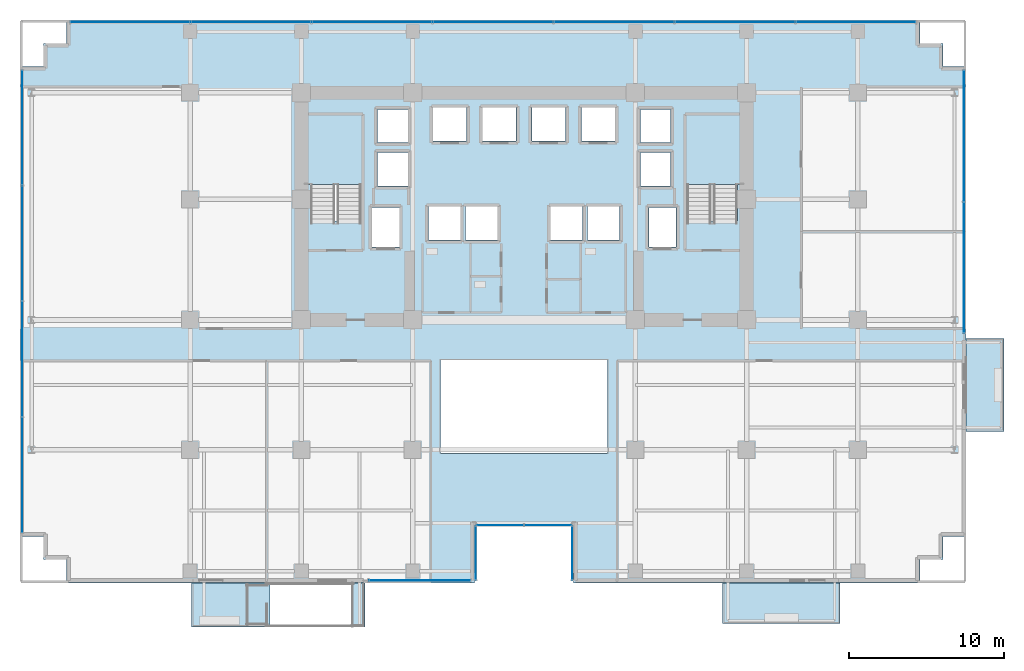
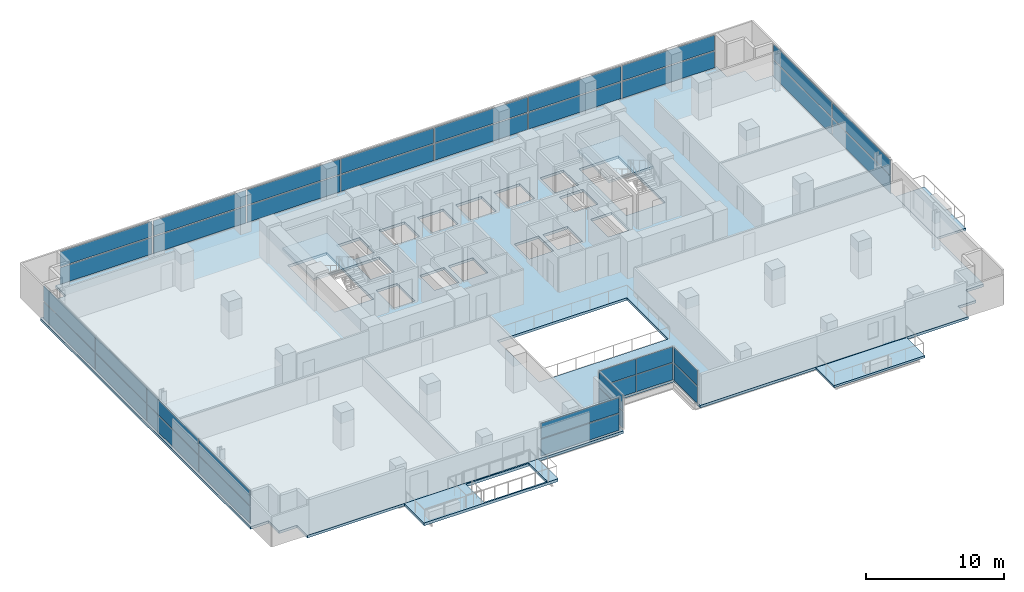
# One storey, part 21 of 30: 36 plates, 6 slabs, 9 elements without a shape of their own.
"""IFC4 building model written with IfcOpenShell, lengths in metres."""

from ifc_helpers import new_model, si_unit, direction, frame, origin, origin_2d, place, context, subcontext, project, spatial, polyline, rectangle, outline, extrude, source, transform, mapped, material, layer, layer_set, type_object, element, aggregate, save


model = new_model("IFC4")

# Units and contexts
model_context = context("Model", 3, precision=1e-05, world=origin(), true_north=direction((0.0, 1.0)))
body_context = subcontext(model_context, "Body", "Model", "MODEL_VIEW")
ifc_project = project(units=[si_unit("LENGTHUNIT", "METRE"), si_unit("AREAUNIT", "SQUARE_METRE"), si_unit("VOLUMEUNIT", "CUBIC_METRE"), si_unit("PLANEANGLEUNIT", "RADIAN"), si_unit("MASSUNIT", "GRAM", prefix="KILO")], contexts=[model_context])

# Site, building, storey
site_placement = place(None, origin())
site = spatial("IfcSite", under=ifc_project, at=site_placement, CompositionType="ELEMENT")
building_placement = place(site_placement, origin())
building = spatial("IfcBuilding", under=site, at=building_placement, Name="Zarnakvel Exchange Tower", CompositionType="ELEMENT")
storey_placement = place(building_placement, frame((0.0, 0.0, 30.699951171875)))
storey = spatial("IfcBuildingStorey", under=building, at=storey_placement, Name="L07", CompositionType="ELEMENT", Elevation=30.699951171875)

# Stair, slab
ifc_material_1 = material(Name="Concrete C40/50", Category="concrete")
stair_type = type_object("IfcStairType", Name="STR-01", PredefinedType="HALF_TURN_STAIR", material=ifc_material_1)
stair_1_placement = place(storey_placement, origin())
stair_1 = element("IfcStair", 1, at=stair_1_placement, inside=storey, type_object=stair_type, Name="L07 Protected Core Exit Stair ST-01", PredefinedType="HALF_TURN_STAIR")
ifc_layer_1 = layer(ifc_material_1, 0.199951171875)
ifc_layer_set_1 = layer_set([ifc_layer_1], Name="Concrete C40/50")
slab_type_1 = type_object("IfcSlabType", Name="LDG-01", PredefinedType="LANDING", material=ifc_layer_set_1)
slab_1_placement = place(storey_placement, frame((0.0, 0.0, 1.449951171875)))
slab_1 = element("IfcSlab", 2, at=slab_1_placement, type_object=slab_type_1, Name="ST-01 landing 1", PredefinedType="LANDING", context=body_context, shape_type="SweptSolid", body=[
    extrude(outline(polyline([(-14.18994140625, 7.570068359375), (-10.4599609375, 7.570068359375), (-10.4599609375, 12.080078125), (-14.18994140625, 12.080078125), (-14.18994140625, 7.570068359375)])), origin(), (0.0, 0.0, 1.0), 0.2001953125),
])
aggregate(stair_1, [slab_1])

stair_2_placement = place(storey_placement, origin())
stair_2 = element("IfcStair", 3, at=stair_2_placement, inside=storey, type_object=stair_type, Name="L07 Protected Core Exit Stair ST-02", PredefinedType="HALF_TURN_STAIR")
slab_2_placement = place(storey_placement, frame((0.0, 0.0, 1.449951171875)))
slab_2 = element("IfcSlab", 4, at=slab_2_placement, type_object=slab_type_1, Name="ST-02 landing 1", PredefinedType="LANDING", context=body_context, shape_type="SweptSolid", body=[
    extrude(outline(polyline([(10.4599609375, 7.570068359375), (14.18994140625, 7.570068359375), (14.18994140625, 12.080078125), (10.4599609375, 12.080078125), (10.4599609375, 7.570068359375)])), origin(), (0.0, 0.0, 1.0), 0.2001953125),
])
aggregate(stair_2, [slab_2])

# Slabs
ifc_layer_2 = layer(ifc_material_1, 0.22509765625)
ifc_layer_set_2 = layer_set([ifc_layer_2], Name="Concrete C40/50")
slab_type_2 = type_object("IfcSlabType", Name="SL-04", PredefinedType="FLOOR", material=ifc_layer_set_2)
slab_3_placement = place(storey_placement, frame((0.0, 0.0, -0.224853515625)))
element("IfcSlab", 5, at=slab_3_placement, inside=storey, type_object=slab_type_2, Name="L07 Primary Structural Floor Slab", PredefinedType="FLOOR", context=body_context, shape_type="SweptSolid", body=[
    extrude(outline(polyline([(-32.60009765625, -15.199951171875), (-31.10009765625, -15.199951171875), (-31.10009765625, -16.699951171875), (-29.60009765625, -16.699951171875), (-29.60009765625, -18.199951171875), (-3.199951171875, -18.199951171875), (-3.199951171875, -14.39990234375), (3.199951171875, -14.39990234375), (3.199951171875, -18.199951171875), (25.60009765625, -18.199951171875), (25.60009765625, -16.699951171875), (27.10009765625, -16.699951171875), (27.10009765625, -15.199951171875), (28.60009765625, -15.199951171875), (28.60009765625, 15.199951171875), (27.10009765625, 15.199951171875), (27.10009765625, 16.699951171875), (25.60009765625, 16.699951171875), (25.60009765625, 18.199951171875), (-29.60009765625, 18.199951171875), (-29.60009765625, 16.699951171875), (-31.10009765625, 16.699951171875), (-31.10009765625, 15.199951171875), (-32.60009765625, 15.199951171875), (-32.60009765625, -15.199951171875)]), holes=[polyline([(-5.39990234375, -9.800048828125), (5.39990234375, -9.800048828125), (5.39990234375, -3.800048828125), (-5.39990234375, -3.800048828125), (-5.39990234375, -9.800048828125)]), polyline([(-13.800048828125, 5.2099609375), (-10.5400390625, 5.2099609375), (-10.5400390625, 12.0), (-13.800048828125, 12.0), (-13.800048828125, 5.2099609375)]), polyline([(10.5400390625, 5.2099609375), (13.800048828125, 5.2099609375), (13.800048828125, 12.0), (10.5400390625, 12.0), (10.5400390625, 5.2099609375)]), polyline([(-9.830078125, 3.52001953125), (-8.070068359375, 3.52001953125), (-8.070068359375, 6.080078125), (-9.830078125, 6.080078125), (-9.830078125, 3.52001953125)]), polyline([(8.070068359375, 3.52001953125), (9.830078125, 3.52001953125), (9.830078125, 6.080078125), (8.070068359375, 6.080078125), (8.070068359375, 3.52001953125)]), polyline([(-5.8798828125, 10.3701171875), (-3.719970703125, 10.3701171875), (-3.719970703125, 12.530029296875), (-5.8798828125, 12.530029296875), (-5.8798828125, 10.3701171875)]), polyline([(-2.679931640625, 10.3701171875), (-0.52001953125, 10.3701171875), (-0.52001953125, 12.530029296875), (-2.679931640625, 12.530029296875), (-2.679931640625, 10.3701171875)]), polyline([(0.52001953125, 10.3701171875), (2.679931640625, 10.3701171875), (2.679931640625, 12.530029296875), (0.52001953125, 12.530029296875), (0.52001953125, 10.3701171875)]), polyline([(3.719970703125, 10.3701171875), (5.8798828125, 10.3701171875), (5.8798828125, 12.530029296875), (3.719970703125, 12.530029296875), (3.719970703125, 10.3701171875)]), polyline([(-6.179931640625, 3.969970703125), (-4.1201171875, 3.969970703125), (-4.1201171875, 6.1298828125), (-6.179931640625, 6.1298828125), (-6.179931640625, 3.969970703125)]), polyline([(-3.780029296875, 3.969970703125), (-1.719970703125, 3.969970703125), (-1.719970703125, 6.1298828125), (-3.780029296875, 6.1298828125), (-3.780029296875, 3.969970703125)]), polyline([(1.719970703125, 3.969970703125), (3.780029296875, 3.969970703125), (3.780029296875, 6.1298828125), (1.719970703125, 6.1298828125), (1.719970703125, 3.969970703125)]), polyline([(4.1201171875, 3.969970703125), (6.179931640625, 3.969970703125), (6.179931640625, 6.1298828125), (4.1201171875, 6.1298828125), (4.1201171875, 3.969970703125)]), polyline([(-9.47998046875, 7.469970703125), (-7.52001953125, 7.469970703125), (-7.52001953125, 9.6298828125), (-9.47998046875, 9.6298828125), (-9.47998046875, 7.469970703125)]), polyline([(-9.47998046875, 10.27001953125), (-7.52001953125, 10.27001953125), (-7.52001953125, 12.429931640625), (-9.47998046875, 12.429931640625), (-9.47998046875, 10.27001953125)]), polyline([(7.52001953125, 7.469970703125), (9.47998046875, 7.469970703125), (9.47998046875, 9.6298828125), (7.52001953125, 9.6298828125), (7.52001953125, 7.469970703125)]), polyline([(7.52001953125, 10.27001953125), (9.47998046875, 10.27001953125), (9.47998046875, 12.429931640625), (7.52001953125, 12.429931640625), (7.52001953125, 10.27001953125)])]), origin(), (0.0, 0.0, 1.0), 0.224853515625),
])
ifc_layer_3 = layer(ifc_material_1, 0.25)
ifc_layer_set_3 = layer_set([ifc_layer_3], Name="Concrete C40/50")
slab_type_3 = type_object("IfcSlabType", Name="SL-07", PredefinedType="ROOF", material=ifc_layer_set_3)
slab_4_placement = place(storey_placement, frame((0.0, 0.0, -0.25)))
element("IfcSlab", 6, at=slab_4_placement, inside=storey, type_object=slab_type_3, Name="L07 Spiral Sky-Terrace Outdoor Slab (SW)", PredefinedType="ROOF", context=body_context, shape_type="SweptSolid", body=[
    extrude(outline(polyline([(-21.5, -21.06005859375), (-10.300048828125, -21.06005859375), (-10.300048828125, -18.199951171875), (-21.5, -18.199951171875), (-21.5, -21.06005859375)]), holes=[polyline([(-16.43994140625, -20.93994140625), (-11.14990234375, -20.93994140625), (-11.14990234375, -18.320068359375), (-16.43994140625, -18.320068359375), (-16.43994140625, -20.93994140625)])]), origin(), (0.0, 0.0, 1.0), 0.25),
])
ifc_layer_4 = layer(ifc_material_1, 0.18994140625)
ifc_layer_set_4 = layer_set([ifc_layer_4], Name="Concrete C40/50")
slab_type_4 = type_object("IfcSlabType", Name="SL-08", PredefinedType="USERDEFINED", material=ifc_layer_set_4)
slab_5_placement = place(storey_placement, frame((0.0, 0.0, -0.224853515625)))
element("IfcSlab", 7, at=slab_5_placement, inside=storey, type_object=slab_type_4, Name="L07 Planted Loggia Balcony Slab BAL-L07-SE", ObjectType="BALCONY", PredefinedType="USERDEFINED", context=body_context, shape_type="SweptSolid", body=[
    extrude(outline(polyline([(12.85009765625, -20.85009765625), (20.449951171875, -20.85009765625), (20.449951171875, -18.199951171875), (12.85009765625, -18.199951171875), (12.85009765625, -20.85009765625)])), origin(), (0.0, 0.0, 1.0), 0.18994140625),
])
slab_6_placement = place(storey_placement, frame((0.0, 0.0, -0.224853515625)))
element("IfcSlab", 8, at=slab_6_placement, inside=storey, type_object=slab_type_4, Name="L07 Planted Loggia Balcony Slab BAL-L07-E", ObjectType="BALCONY", PredefinedType="USERDEFINED", context=body_context, shape_type="SweptSolid", body=[
    extrude(outline(polyline([(28.60009765625, -8.39990234375), (31.050048828125, -8.39990234375), (31.050048828125, -2.39990234375), (28.60009765625, -2.39990234375), (28.60009765625, -8.39990234375)])), origin(), (0.0, 0.0, 1.0), 0.18994140625),
])

# Curtain wall, plate
ifc_material_2 = material(Name="Architectural Bronze Anodised Aluminium", Category="aluminium")
ifc_layer_5 = layer(ifc_material_2, 0.179931640625)
ifc_layer_set_5 = layer_set([ifc_layer_5], Name="Architectural Bronze Anodised Aluminium")
curtain_wall_type_1 = type_object("IfcCurtainWallType", Name="CW-05", PredefinedType="NOTDEFINED", material=ifc_layer_set_5)
curtain_wall_1_placement = place(storey_placement, origin())
curtain_wall_1 = element("IfcCurtainWall", 9, at=curtain_wall_1_placement, inside=storey, type_object=curtain_wall_type_1, Name="L07 Curtain Wall CW-L07-SLW (CW-05)", PredefinedType="NOTDEFINED")
ifc_material_3 = material(Name="Double Low-E Laminated Vision Glass", Category="glass")
ifc_layer_6 = layer(ifc_material_3, 0.02587890625)
ifc_layer_set_6 = layer_set([ifc_layer_6], Name="Double Low-E Laminated Vision Glass")
plate_type_1 = type_object("IfcPlateType", Name="CWP-05", PredefinedType="CURTAIN_PANEL", material=ifc_layer_set_6)
shared_shape_1 = source(origin(), body_context, "Body", "SweptSolid", [
    extrude(rectangle(XDim=3.4599609375, YDim=0.02587890625, at=origin_2d()), origin(), (0.0, 0.0, 1.0), 1.483642578125),
])
plate_1_placement = place(storey_placement, frame((-3.1201171875, -16.280029296875, 0.06982421875), z_axis=(0.0, 0.0, 1.0), x_axis=(0.0, 1.0, 0.0)))
plate_1 = element("IfcPlate", 10, at=plate_1_placement, type_object=plate_type_1, Name="CW-05 panel 1.1", PredefinedType="CURTAIN_PANEL", context=body_context, shape_type="MappedRepresentation", body=[
    mapped(shared_shape_1, transform((0.0, 0.0, 0.0), x_axis=(1.0, 0.0, 0.0), y_axis=(0.0, 1.0, 0.0), z_axis=(0.0, 0.0, 1.0), scale=1.0)),
])

curtain_wall_2_placement = place(storey_placement, origin())
curtain_wall_2 = element("IfcCurtainWall", 11, at=curtain_wall_2_placement, inside=storey, type_object=curtain_wall_type_1, Name="L07 Curtain Wall CW-L07-SLE (CW-05)", PredefinedType="NOTDEFINED")
plate_2_placement = place(storey_placement, frame((3.1201171875, -16.280029296875, 0.06982421875), z_axis=(0.0, 0.0, 1.0), x_axis=(0.0, -1.0, 0.0)))
plate_2 = element("IfcPlate", 12, at=plate_2_placement, type_object=plate_type_1, Name="CW-05 panel 1.1", PredefinedType="CURTAIN_PANEL", context=body_context, shape_type="MappedRepresentation", body=[
    mapped(shared_shape_1, transform((0.0, 0.0, 0.0), x_axis=(1.0, 0.0, 0.0), y_axis=(0.0, 1.0, 0.0), z_axis=(0.0, 0.0, 1.0), scale=1.0)),
])

# Plate
shared_shape_2 = source(origin(), body_context, "Body", "SweptSolid", [
    extrude(rectangle(XDim=3.4599609375, YDim=0.02587890625, at=origin_2d()), origin(), (0.0, 0.0, 1.0), 1.361328125),
])
plate_3_placement = place(storey_placement, frame((-3.1201171875, -16.280029296875, 1.623779296875), z_axis=(0.0, 0.0, 1.0), x_axis=(0.0, 1.0, 0.0)))
plate_3 = element("IfcPlate", 13, at=plate_3_placement, type_object=plate_type_1, Name="CW-05 panel 1.2", PredefinedType="CURTAIN_PANEL", context=body_context, shape_type="MappedRepresentation", body=[
    mapped(shared_shape_2, transform((0.0, 0.0, 0.0), x_axis=(1.0, 0.0, 0.0), y_axis=(0.0, 1.0, 0.0), z_axis=(0.0, 0.0, 1.0), scale=1.0)),
])

aggregate(curtain_wall_1, [plate_1, plate_3])

plate_4_placement = place(storey_placement, frame((3.1201171875, -16.280029296875, 1.623779296875), z_axis=(0.0, 0.0, 1.0), x_axis=(0.0, -1.0, 0.0)))
plate_4 = element("IfcPlate", 14, at=plate_4_placement, type_object=plate_type_1, Name="CW-05 panel 1.2", PredefinedType="CURTAIN_PANEL", context=body_context, shape_type="MappedRepresentation", body=[
    mapped(shared_shape_2, transform((0.0, 0.0, 0.0), x_axis=(1.0, 0.0, 0.0), y_axis=(0.0, 1.0, 0.0), z_axis=(0.0, 0.0, 1.0), scale=1.0)),
])

aggregate(curtain_wall_2, [plate_2, plate_4])

# Curtain wall, plates
curtain_wall_3_placement = place(storey_placement, origin())
curtain_wall_3 = element("IfcCurtainWall", 15, at=curtain_wall_3_placement, inside=storey, type_object=curtain_wall_type_1, Name="L07 Curtain Wall CW-L07-SLB (CW-05)", PredefinedType="NOTDEFINED")
shared_shape_3 = source(origin(), body_context, "Body", "SweptSolid", [
    extrude(rectangle(XDim=3.014892578125, YDim=0.02587890625, at=origin_2d()), origin(), (0.0, 0.0, 1.0), 1.483642578125),
])
plate_5_placement = place(storey_placement, frame((-1.54248046875, -14.47998046875, 0.06982421875), z_axis=(0.0, 0.0, 1.0), x_axis=(1.0, 0.0, 0.0)))
plate_5 = element("IfcPlate", 16, at=plate_5_placement, type_object=plate_type_1, Name="CW-05 panel 1.1", PredefinedType="CURTAIN_PANEL", context=body_context, shape_type="MappedRepresentation", body=[
    mapped(shared_shape_3, transform((0.0, 0.0, 0.0), x_axis=(1.0, 0.0, 0.0), y_axis=(0.0, 1.0, 0.0), z_axis=(0.0, 0.0, 1.0), scale=1.0)),
])
plate_6_placement = place(storey_placement, frame((1.54248046875, -14.47998046875, 0.06982421875), z_axis=(0.0, 0.0, 1.0), x_axis=(1.0, 0.0, 0.0)))
plate_6 = element("IfcPlate", 17, at=plate_6_placement, type_object=plate_type_1, Name="CW-05 panel 2.1", PredefinedType="CURTAIN_PANEL", context=body_context, shape_type="MappedRepresentation", body=[
    mapped(shared_shape_3, transform((0.0, 0.0, 0.0), x_axis=(1.0, 0.0, 0.0), y_axis=(0.0, 1.0, 0.0), z_axis=(0.0, 0.0, 1.0), scale=1.0)),
])
shared_shape_4 = source(origin(), body_context, "Body", "SweptSolid", [
    extrude(rectangle(XDim=3.014892578125, YDim=0.02587890625, at=origin_2d()), origin(), (0.0, 0.0, 1.0), 1.361328125),
])
plate_7_placement = place(storey_placement, frame((-1.54248046875, -14.47998046875, 1.623779296875), z_axis=(0.0, 0.0, 1.0), x_axis=(1.0, 0.0, 0.0)))
plate_7 = element("IfcPlate", 18, at=plate_7_placement, type_object=plate_type_1, Name="CW-05 panel 1.2", PredefinedType="CURTAIN_PANEL", context=body_context, shape_type="MappedRepresentation", body=[
    mapped(shared_shape_4, transform((0.0, 0.0, 0.0), x_axis=(1.0, 0.0, 0.0), y_axis=(0.0, 1.0, 0.0), z_axis=(0.0, 0.0, 1.0), scale=1.0)),
])
plate_8_placement = place(storey_placement, frame((1.54248046875, -14.47998046875, 1.623779296875), z_axis=(0.0, 0.0, 1.0), x_axis=(1.0, 0.0, 0.0)))
plate_8 = element("IfcPlate", 19, at=plate_8_placement, type_object=plate_type_1, Name="CW-05 panel 2.2", PredefinedType="CURTAIN_PANEL", context=body_context, shape_type="MappedRepresentation", body=[
    mapped(shared_shape_4, transform((0.0, 0.0, 0.0), x_axis=(1.0, 0.0, 0.0), y_axis=(0.0, 1.0, 0.0), z_axis=(0.0, 0.0, 1.0), scale=1.0)),
])
aggregate(curtain_wall_3, [plate_5, plate_7, plate_6, plate_8])

ifc_layer_7 = layer(ifc_material_2, 0.239990234375)
ifc_layer_set_7 = layer_set([ifc_layer_7], Name="Architectural Bronze Anodised Aluminium")
curtain_wall_type_2 = type_object("IfcCurtainWallType", Name="CW-02", PredefinedType="NOTDEFINED", material=ifc_layer_set_7)
curtain_wall_4_placement = place(storey_placement, origin())
curtain_wall_4 = element("IfcCurtainWall", 20, at=curtain_wall_4_placement, inside=storey, type_object=curtain_wall_type_2, Name="L07 Curtain Wall CW-L07-N1 (CW-02)", PredefinedType="NOTDEFINED")
ifc_layer_8 = layer(ifc_material_3, 0.031982421875)
ifc_layer_set_8 = layer_set([ifc_layer_8], Name="Double Low-E Laminated Vision Glass")
plate_type_2 = type_object("IfcPlateType", Name="CWP-02", PredefinedType="CURTAIN_PANEL", material=ifc_layer_set_8)
shared_shape_5 = source(origin(), body_context, "Body", "SweptSolid", [
    extrude(rectangle(XDim=7.693603515625, YDim=0.031982421875, at=origin_2d()), origin(), (0.0, 0.0, 1.0), 1.461181640625),
])
plate_9_placement = place(storey_placement, frame((-25.463134765625, 18.06005859375, 0.0849609375), z_axis=(0.0, 0.0, 1.0), x_axis=(1.0, 0.0, 0.0)))
plate_9 = element("IfcPlate", 21, at=plate_9_placement, type_object=plate_type_2, Name="CW-02 panel 1.1", PredefinedType="CURTAIN_PANEL", context=body_context, shape_type="MappedRepresentation", body=[
    mapped(shared_shape_5, transform((0.0, 0.0, 0.0), x_axis=(1.0, 0.0, 0.0), y_axis=(0.0, 1.0, 0.0), z_axis=(0.0, 0.0, 1.0), scale=1.0)),
])
plate_10_placement = place(storey_placement, frame((21.463134765625, 18.06005859375, 0.0849609375), z_axis=(0.0, 0.0, 1.0), x_axis=(1.0, 0.0, 0.0)))
plate_10 = element("IfcPlate", 22, at=plate_10_placement, type_object=plate_type_2, Name="CW-02 panel 7.1", PredefinedType="CURTAIN_PANEL", context=body_context, shape_type="MappedRepresentation", body=[
    mapped(shared_shape_5, transform((0.0, 0.0, 0.0), x_axis=(1.0, 0.0, 0.0), y_axis=(0.0, 1.0, 0.0), z_axis=(0.0, 0.0, 1.0), scale=1.0)),
])
shared_shape_6 = source(origin(), body_context, "Body", "SweptSolid", [
    extrude(rectangle(XDim=7.693603515625, YDim=0.031982421875, at=origin_2d()), origin(), (0.0, 0.0, 1.0), 1.3388671875),
])
plate_11_placement = place(storey_placement, frame((-25.463134765625, 18.06005859375, 1.631103515625), z_axis=(0.0, 0.0, 1.0), x_axis=(1.0, 0.0, 0.0)))
plate_11 = element("IfcPlate", 23, at=plate_11_placement, type_object=plate_type_2, Name="CW-02 panel 1.2", PredefinedType="CURTAIN_PANEL", context=body_context, shape_type="MappedRepresentation", body=[
    mapped(shared_shape_6, transform((0.0, 0.0, 0.0), x_axis=(1.0, 0.0, 0.0), y_axis=(0.0, 1.0, 0.0), z_axis=(0.0, 0.0, 1.0), scale=1.0)),
])
plate_12_placement = place(storey_placement, frame((21.463134765625, 18.06005859375, 1.631103515625), z_axis=(0.0, 0.0, 1.0), x_axis=(1.0, 0.0, 0.0)))
plate_12 = element("IfcPlate", 24, at=plate_12_placement, type_object=plate_type_2, Name="CW-02 panel 7.2", PredefinedType="CURTAIN_PANEL", context=body_context, shape_type="MappedRepresentation", body=[
    mapped(shared_shape_6, transform((0.0, 0.0, 0.0), x_axis=(1.0, 0.0, 0.0), y_axis=(0.0, 1.0, 0.0), z_axis=(0.0, 0.0, 1.0), scale=1.0)),
])
shared_shape_7 = source(origin(), body_context, "Body", "SweptSolid", [
    extrude(rectangle(XDim=7.738525390625, YDim=0.031982421875, at=origin_2d()), origin(), (0.0, 0.0, 1.0), 1.461181640625),
])
plate_13_placement = place(storey_placement, frame((-17.6572265625, 18.06005859375, 0.0849609375), z_axis=(0.0, 0.0, 1.0), x_axis=(1.0, 0.0, 0.0)))
plate_13 = element("IfcPlate", 25, at=plate_13_placement, type_object=plate_type_2, Name="CW-02 panel 2.1", PredefinedType="CURTAIN_PANEL", context=body_context, shape_type="MappedRepresentation", body=[
    mapped(shared_shape_7, transform((0.0, 0.0, 0.0), x_axis=(1.0, 0.0, 0.0), y_axis=(0.0, 1.0, 0.0), z_axis=(0.0, 0.0, 1.0), scale=1.0)),
])
plate_14_placement = place(storey_placement, frame((-9.82861328125, 18.06005859375, 0.0849609375), z_axis=(0.0, 0.0, 1.0), x_axis=(1.0, 0.0, 0.0)))
plate_14 = element("IfcPlate", 26, at=plate_14_placement, type_object=plate_type_2, Name="CW-02 panel 3.1", PredefinedType="CURTAIN_PANEL", context=body_context, shape_type="MappedRepresentation", body=[
    mapped(shared_shape_7, transform((0.0, 0.0, 0.0), x_axis=(1.0, 0.0, 0.0), y_axis=(0.0, 1.0, 0.0), z_axis=(0.0, 0.0, 1.0), scale=1.0)),
])
plate_15_placement = place(storey_placement, frame((-2.0, 18.06005859375, 0.0849609375), z_axis=(0.0, 0.0, 1.0), x_axis=(1.0, 0.0, 0.0)))
plate_15 = element("IfcPlate", 27, at=plate_15_placement, type_object=plate_type_2, Name="CW-02 panel 4.1", PredefinedType="CURTAIN_PANEL", context=body_context, shape_type="MappedRepresentation", body=[
    mapped(shared_shape_7, transform((0.0, 0.0, 0.0), x_axis=(1.0, 0.0, 0.0), y_axis=(0.0, 1.0, 0.0), z_axis=(0.0, 0.0, 1.0), scale=1.0)),
])
plate_16_placement = place(storey_placement, frame((5.82861328125, 18.06005859375, 0.0849609375), z_axis=(0.0, 0.0, 1.0), x_axis=(1.0, 0.0, 0.0)))
plate_16 = element("IfcPlate", 28, at=plate_16_placement, type_object=plate_type_2, Name="CW-02 panel 5.1", PredefinedType="CURTAIN_PANEL", context=body_context, shape_type="MappedRepresentation", body=[
    mapped(shared_shape_7, transform((0.0, 0.0, 0.0), x_axis=(1.0, 0.0, 0.0), y_axis=(0.0, 1.0, 0.0), z_axis=(0.0, 0.0, 1.0), scale=1.0)),
])
plate_17_placement = place(storey_placement, frame((13.6572265625, 18.06005859375, 0.0849609375), z_axis=(0.0, 0.0, 1.0), x_axis=(1.0, 0.0, 0.0)))
plate_17 = element("IfcPlate", 29, at=plate_17_placement, type_object=plate_type_2, Name="CW-02 panel 6.1", PredefinedType="CURTAIN_PANEL", context=body_context, shape_type="MappedRepresentation", body=[
    mapped(shared_shape_7, transform((0.0, 0.0, 0.0), x_axis=(1.0, 0.0, 0.0), y_axis=(0.0, 1.0, 0.0), z_axis=(0.0, 0.0, 1.0), scale=1.0)),
])
shared_shape_8 = source(origin(), body_context, "Body", "SweptSolid", [
    extrude(rectangle(XDim=7.738525390625, YDim=0.031982421875, at=origin_2d()), origin(), (0.0, 0.0, 1.0), 1.3388671875),
])
plate_18_placement = place(storey_placement, frame((-17.6572265625, 18.06005859375, 1.631103515625), z_axis=(0.0, 0.0, 1.0), x_axis=(1.0, 0.0, 0.0)))
plate_18 = element("IfcPlate", 30, at=plate_18_placement, type_object=plate_type_2, Name="CW-02 panel 2.2", PredefinedType="CURTAIN_PANEL", context=body_context, shape_type="MappedRepresentation", body=[
    mapped(shared_shape_8, transform((0.0, 0.0, 0.0), x_axis=(1.0, 0.0, 0.0), y_axis=(0.0, 1.0, 0.0), z_axis=(0.0, 0.0, 1.0), scale=1.0)),
])
plate_19_placement = place(storey_placement, frame((-9.82861328125, 18.06005859375, 1.631103515625), z_axis=(0.0, 0.0, 1.0), x_axis=(1.0, 0.0, 0.0)))
plate_19 = element("IfcPlate", 31, at=plate_19_placement, type_object=plate_type_2, Name="CW-02 panel 3.2", PredefinedType="CURTAIN_PANEL", context=body_context, shape_type="MappedRepresentation", body=[
    mapped(shared_shape_8, transform((0.0, 0.0, 0.0), x_axis=(1.0, 0.0, 0.0), y_axis=(0.0, 1.0, 0.0), z_axis=(0.0, 0.0, 1.0), scale=1.0)),
])
plate_20_placement = place(storey_placement, frame((-2.0, 18.06005859375, 1.631103515625), z_axis=(0.0, 0.0, 1.0), x_axis=(1.0, 0.0, 0.0)))
plate_20 = element("IfcPlate", 32, at=plate_20_placement, type_object=plate_type_2, Name="CW-02 panel 4.2", PredefinedType="CURTAIN_PANEL", context=body_context, shape_type="MappedRepresentation", body=[
    mapped(shared_shape_8, transform((0.0, 0.0, 0.0), x_axis=(1.0, 0.0, 0.0), y_axis=(0.0, 1.0, 0.0), z_axis=(0.0, 0.0, 1.0), scale=1.0)),
])
plate_21_placement = place(storey_placement, frame((5.82861328125, 18.06005859375, 1.631103515625), z_axis=(0.0, 0.0, 1.0), x_axis=(1.0, 0.0, 0.0)))
plate_21 = element("IfcPlate", 33, at=plate_21_placement, type_object=plate_type_2, Name="CW-02 panel 5.2", PredefinedType="CURTAIN_PANEL", context=body_context, shape_type="MappedRepresentation", body=[
    mapped(shared_shape_8, transform((0.0, 0.0, 0.0), x_axis=(1.0, 0.0, 0.0), y_axis=(0.0, 1.0, 0.0), z_axis=(0.0, 0.0, 1.0), scale=1.0)),
])
plate_22_placement = place(storey_placement, frame((13.6572265625, 18.06005859375, 1.631103515625), z_axis=(0.0, 0.0, 1.0), x_axis=(1.0, 0.0, 0.0)))
plate_22 = element("IfcPlate", 34, at=plate_22_placement, type_object=plate_type_2, Name="CW-02 panel 6.2", PredefinedType="CURTAIN_PANEL", context=body_context, shape_type="MappedRepresentation", body=[
    mapped(shared_shape_8, transform((0.0, 0.0, 0.0), x_axis=(1.0, 0.0, 0.0), y_axis=(0.0, 1.0, 0.0), z_axis=(0.0, 0.0, 1.0), scale=1.0)),
])
aggregate(curtain_wall_4, [plate_9, plate_11, plate_13, plate_18, plate_14, plate_19, plate_15, plate_20, plate_16, plate_21, plate_17, plate_22, plate_10, plate_12])

ifc_layer_9 = layer(ifc_material_2, 0.199951171875)
ifc_layer_set_9 = layer_set([ifc_layer_9], Name="Architectural Bronze Anodised Aluminium")
curtain_wall_type_3 = type_object("IfcCurtainWallType", Name="CW-04", PredefinedType="NOTDEFINED", material=ifc_layer_set_9)
curtain_wall_5_placement = place(storey_placement, origin())
curtain_wall_5 = element("IfcCurtainWall", 35, at=curtain_wall_5_placement, inside=storey, type_object=curtain_wall_type_3, Name="L07 Curtain Wall CW-L07-EN (CW-04)", PredefinedType="NOTDEFINED")
ifc_layer_10 = layer(ifc_material_3, 0.028076171875)
ifc_layer_set_10 = layer_set([ifc_layer_10], Name="Double Low-E Laminated Vision Glass")
plate_type_3 = type_object("IfcPlateType", Name="CWP-04", PredefinedType="CURTAIN_PANEL", material=ifc_layer_set_10)
shared_shape_9 = source(origin(), body_context, "Body", "SweptSolid", [
    extrude(rectangle(XDim=8.4375, YDim=0.028076171875, at=origin_2d()), origin(), (0.0, 0.0, 1.0), 1.47607421875),
])
plate_23_placement = place(storey_placement, frame((28.4599609375, 2.19384765625, 0.074951171875), z_axis=(0.0, 0.0, 1.0), x_axis=(0.0, 1.0, 0.0)))
plate_23 = element("IfcPlate", 36, at=plate_23_placement, type_object=plate_type_3, Name="CW-04 panel 1.1", PredefinedType="CURTAIN_PANEL", context=body_context, shape_type="MappedRepresentation", body=[
    mapped(shared_shape_9, transform((0.0, 0.0, 0.0), x_axis=(1.0, 0.0, 0.0), y_axis=(0.0, 1.0, 0.0), z_axis=(0.0, 0.0, 1.0), scale=1.0)),
])
plate_24_placement = place(storey_placement, frame((28.4599609375, 10.706298828125, 0.074951171875), z_axis=(0.0, 0.0, 1.0), x_axis=(0.0, 1.0, 0.0)))
plate_24 = element("IfcPlate", 37, at=plate_24_placement, type_object=plate_type_3, Name="CW-04 panel 2.1", PredefinedType="CURTAIN_PANEL", context=body_context, shape_type="MappedRepresentation", body=[
    mapped(shared_shape_9, transform((0.0, 0.0, 0.0), x_axis=(1.0, 0.0, 0.0), y_axis=(0.0, 1.0, 0.0), z_axis=(0.0, 0.0, 1.0), scale=1.0)),
])
shared_shape_10 = source(origin(), body_context, "Body", "SweptSolid", [
    extrude(rectangle(XDim=8.4375, YDim=0.028076171875, at=origin_2d()), origin(), (0.0, 0.0, 1.0), 1.35400390625),
])
plate_25_placement = place(storey_placement, frame((28.4599609375, 2.19384765625, 1.6259765625), z_axis=(0.0, 0.0, 1.0), x_axis=(0.0, 1.0, 0.0)))
plate_25 = element("IfcPlate", 38, at=plate_25_placement, type_object=plate_type_3, Name="CW-04 panel 1.2", PredefinedType="CURTAIN_PANEL", context=body_context, shape_type="MappedRepresentation", body=[
    mapped(shared_shape_10, transform((0.0, 0.0, 0.0), x_axis=(1.0, 0.0, 0.0), y_axis=(0.0, 1.0, 0.0), z_axis=(0.0, 0.0, 1.0), scale=1.0)),
])
plate_26_placement = place(storey_placement, frame((28.4599609375, 10.706298828125, 1.6259765625), z_axis=(0.0, 0.0, 1.0), x_axis=(0.0, 1.0, 0.0)))
plate_26 = element("IfcPlate", 39, at=plate_26_placement, type_object=plate_type_3, Name="CW-04 panel 2.2", PredefinedType="CURTAIN_PANEL", context=body_context, shape_type="MappedRepresentation", body=[
    mapped(shared_shape_10, transform((0.0, 0.0, 0.0), x_axis=(1.0, 0.0, 0.0), y_axis=(0.0, 1.0, 0.0), z_axis=(0.0, 0.0, 1.0), scale=1.0)),
])
aggregate(curtain_wall_5, [plate_23, plate_25, plate_24, plate_26])

curtain_wall_6_placement = place(storey_placement, origin())
curtain_wall_6 = element("IfcCurtainWall", 40, at=curtain_wall_6_placement, inside=storey, type_object=curtain_wall_type_3, Name="L07 Curtain Wall CW-L07-W1 (CW-04)", PredefinedType="NOTDEFINED")
shared_shape_11 = source(origin(), body_context, "Body", "SweptSolid", [
    extrude(rectangle(XDim=7.387451171875, YDim=0.028076171875, at=origin_2d()), origin(), (0.0, 0.0, 1.0), 1.47607421875),
])
plate_27_placement = place(storey_placement, frame((-32.4599609375, -11.231201171875, 0.074951171875), z_axis=(0.0, 0.0, 1.0), x_axis=(0.0, 1.0, 0.0)))
plate_27 = element("IfcPlate", 41, at=plate_27_placement, type_object=plate_type_3, Name="CW-04 panel 1.1", PredefinedType="CURTAIN_PANEL", context=body_context, shape_type="MappedRepresentation", body=[
    mapped(shared_shape_11, transform((0.0, 0.0, 0.0), x_axis=(1.0, 0.0, 0.0), y_axis=(0.0, 1.0, 0.0), z_axis=(0.0, 0.0, 1.0), scale=1.0)),
])
plate_28_placement = place(storey_placement, frame((-32.4599609375, 11.231201171875, 0.074951171875), z_axis=(0.0, 0.0, 1.0), x_axis=(0.0, 1.0, 0.0)))
plate_28 = element("IfcPlate", 42, at=plate_28_placement, type_object=plate_type_3, Name="CW-04 panel 4.1", PredefinedType="CURTAIN_PANEL", context=body_context, shape_type="MappedRepresentation", body=[
    mapped(shared_shape_11, transform((0.0, 0.0, 0.0), x_axis=(1.0, 0.0, 0.0), y_axis=(0.0, 1.0, 0.0), z_axis=(0.0, 0.0, 1.0), scale=1.0)),
])
shared_shape_12 = source(origin(), body_context, "Body", "SweptSolid", [
    extrude(rectangle(XDim=7.387451171875, YDim=0.028076171875, at=origin_2d()), origin(), (0.0, 0.0, 1.0), 1.35400390625),
])
plate_29_placement = place(storey_placement, frame((-32.4599609375, -11.231201171875, 1.6259765625), z_axis=(0.0, 0.0, 1.0), x_axis=(0.0, 1.0, 0.0)))
plate_29 = element("IfcPlate", 43, at=plate_29_placement, type_object=plate_type_3, Name="CW-04 panel 1.2", PredefinedType="CURTAIN_PANEL", context=body_context, shape_type="MappedRepresentation", body=[
    mapped(shared_shape_12, transform((0.0, 0.0, 0.0), x_axis=(1.0, 0.0, 0.0), y_axis=(0.0, 1.0, 0.0), z_axis=(0.0, 0.0, 1.0), scale=1.0)),
])
plate_30_placement = place(storey_placement, frame((-32.4599609375, 11.231201171875, 1.6259765625), z_axis=(0.0, 0.0, 1.0), x_axis=(0.0, 1.0, 0.0)))
plate_30 = element("IfcPlate", 44, at=plate_30_placement, type_object=plate_type_3, Name="CW-04 panel 4.2", PredefinedType="CURTAIN_PANEL", context=body_context, shape_type="MappedRepresentation", body=[
    mapped(shared_shape_12, transform((0.0, 0.0, 0.0), x_axis=(1.0, 0.0, 0.0), y_axis=(0.0, 1.0, 0.0), z_axis=(0.0, 0.0, 1.0), scale=1.0)),
])
shared_shape_13 = source(origin(), body_context, "Body", "SweptSolid", [
    extrude(rectangle(XDim=7.425048828125, YDim=0.028076171875, at=origin_2d()), origin(), (0.0, 0.0, 1.0), 1.47607421875),
])
plate_31_placement = place(storey_placement, frame((-32.4599609375, -3.75, 0.074951171875), z_axis=(0.0, 0.0, 1.0), x_axis=(0.0, 1.0, 0.0)))
plate_31 = element("IfcPlate", 45, at=plate_31_placement, type_object=plate_type_3, Name="CW-04 panel 2.1", PredefinedType="CURTAIN_PANEL", context=body_context, shape_type="MappedRepresentation", body=[
    mapped(shared_shape_13, transform((0.0, 0.0, 0.0), x_axis=(1.0, 0.0, 0.0), y_axis=(0.0, 1.0, 0.0), z_axis=(0.0, 0.0, 1.0), scale=1.0)),
])
plate_32_placement = place(storey_placement, frame((-32.4599609375, 3.75, 0.074951171875), z_axis=(0.0, 0.0, 1.0), x_axis=(0.0, 1.0, 0.0)))
plate_32 = element("IfcPlate", 46, at=plate_32_placement, type_object=plate_type_3, Name="CW-04 panel 3.1", PredefinedType="CURTAIN_PANEL", context=body_context, shape_type="MappedRepresentation", body=[
    mapped(shared_shape_13, transform((0.0, 0.0, 0.0), x_axis=(1.0, 0.0, 0.0), y_axis=(0.0, 1.0, 0.0), z_axis=(0.0, 0.0, 1.0), scale=1.0)),
])
shared_shape_14 = source(origin(), body_context, "Body", "SweptSolid", [
    extrude(rectangle(XDim=7.425048828125, YDim=0.028076171875, at=origin_2d()), origin(), (0.0, 0.0, 1.0), 1.35400390625),
])
plate_33_placement = place(storey_placement, frame((-32.4599609375, -3.75, 1.6259765625), z_axis=(0.0, 0.0, 1.0), x_axis=(0.0, 1.0, 0.0)))
plate_33 = element("IfcPlate", 47, at=plate_33_placement, type_object=plate_type_3, Name="CW-04 panel 2.2", PredefinedType="CURTAIN_PANEL", context=body_context, shape_type="MappedRepresentation", body=[
    mapped(shared_shape_14, transform((0.0, 0.0, 0.0), x_axis=(1.0, 0.0, 0.0), y_axis=(0.0, 1.0, 0.0), z_axis=(0.0, 0.0, 1.0), scale=1.0)),
])
plate_34_placement = place(storey_placement, frame((-32.4599609375, 3.75, 1.6259765625), z_axis=(0.0, 0.0, 1.0), x_axis=(0.0, 1.0, 0.0)))
plate_34 = element("IfcPlate", 48, at=plate_34_placement, type_object=plate_type_3, Name="CW-04 panel 3.2", PredefinedType="CURTAIN_PANEL", context=body_context, shape_type="MappedRepresentation", body=[
    mapped(shared_shape_14, transform((0.0, 0.0, 0.0), x_axis=(1.0, 0.0, 0.0), y_axis=(0.0, 1.0, 0.0), z_axis=(0.0, 0.0, 1.0), scale=1.0)),
])
aggregate(curtain_wall_6, [plate_27, plate_29, plate_31, plate_33, plate_32, plate_34, plate_28, plate_30])

curtain_wall_7_placement = place(storey_placement, origin())
curtain_wall_7 = element("IfcCurtainWall", 49, at=curtain_wall_7_placement, inside=storey, type_object=curtain_wall_type_2, Name="L07 Curtain Wall CW-L07-SW (CW-02)", PredefinedType="NOTDEFINED")
shared_shape_15 = source(origin(), body_context, "Body", "SweptSolid", [
    extrude(rectangle(XDim=6.52001953125, YDim=0.031982421875, at=origin_2d()), origin(), (0.0, 0.0, 1.0), 1.461181640625),
])
plate_35_placement = place(storey_placement, frame((-6.75, -18.06005859375, 0.0849609375), z_axis=(0.0, 0.0, 1.0), x_axis=(1.0, 0.0, 0.0)))
plate_35 = element("IfcPlate", 50, at=plate_35_placement, type_object=plate_type_2, Name="CW-02 panel 1.1", PredefinedType="CURTAIN_PANEL", context=body_context, shape_type="MappedRepresentation", body=[
    mapped(shared_shape_15, transform((0.0, 0.0, 0.0), x_axis=(1.0, 0.0, 0.0), y_axis=(0.0, 1.0, 0.0), z_axis=(0.0, 0.0, 1.0), scale=1.0)),
])
shared_shape_16 = source(origin(), body_context, "Body", "SweptSolid", [
    extrude(rectangle(XDim=6.52001953125, YDim=0.031982421875, at=origin_2d()), origin(), (0.0, 0.0, 1.0), 1.3388671875),
])
plate_36_placement = place(storey_placement, frame((-6.75, -18.06005859375, 1.631103515625), z_axis=(0.0, 0.0, 1.0), x_axis=(1.0, 0.0, 0.0)))
plate_36 = element("IfcPlate", 51, at=plate_36_placement, type_object=plate_type_2, Name="CW-02 panel 1.2", PredefinedType="CURTAIN_PANEL", context=body_context, shape_type="MappedRepresentation", body=[
    mapped(shared_shape_16, transform((0.0, 0.0, 0.0), x_axis=(1.0, 0.0, 0.0), y_axis=(0.0, 1.0, 0.0), z_axis=(0.0, 0.0, 1.0), scale=1.0)),
])
aggregate(curtain_wall_7, [plate_35, plate_36])

save(model, "model.ifc")
